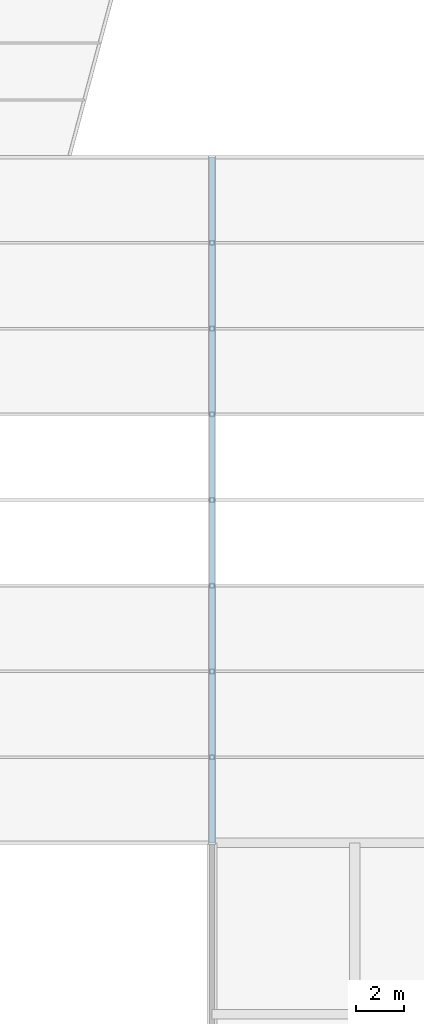
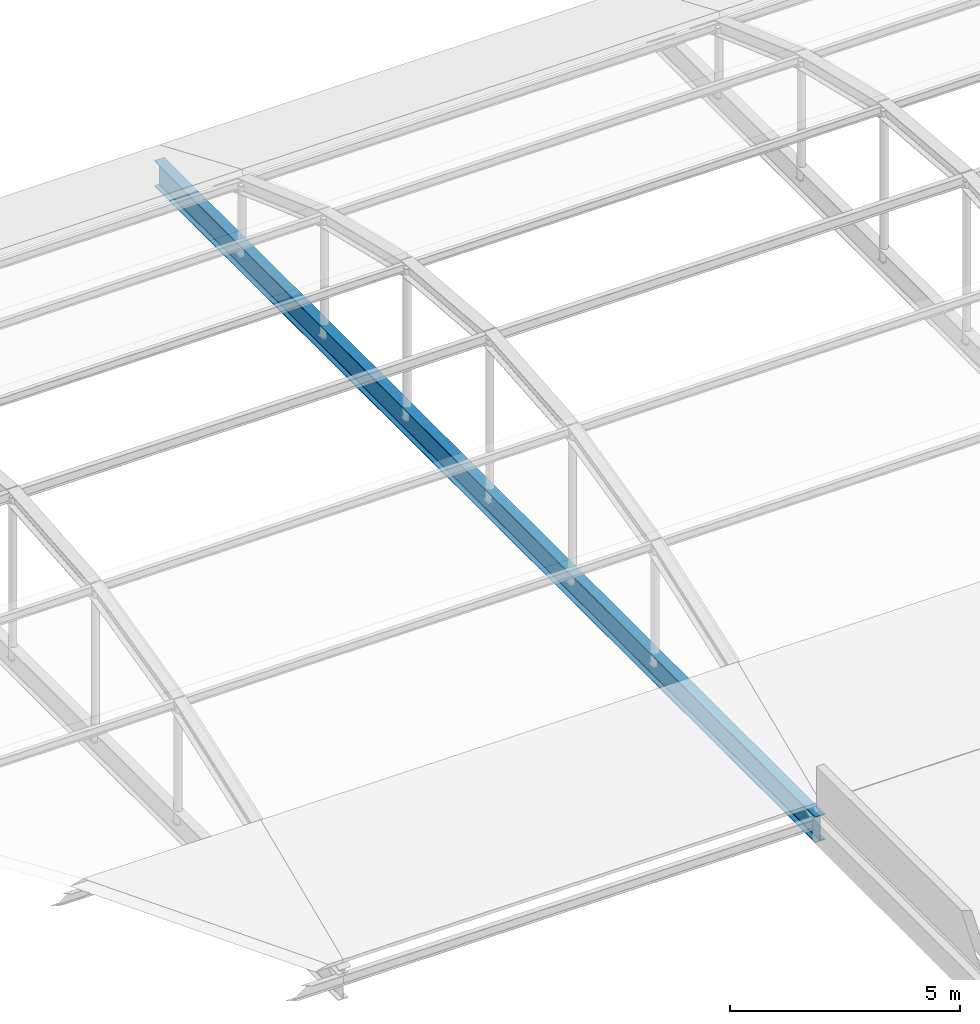
# One storey, part 178 of 239: 1 beam.
"""IFC4 building model written with IfcOpenShell, lengths in metres."""

import ifcopenshell
import ifcopenshell.guid

model = None  # the IFC model being written
_history = None  # IfcOwnerHistory: only IFC2X3 demands one
_inside = {}  # id of a spatial element -> (the spatial element, [elements in it])
_under = {}  # id of a project, library or spatial element -> (it, [spatial elements below it])
_declared = {}  # id of a project -> (the project, [libraries it declares])
_typed = {}  # id of a type object -> (the type object, [elements of that type])
_made_of = {}  # id of a material, layer set ... -> (it, [elements and type objects made of it])


def new_model(schema):
    """Start an empty IFC model of exactly this schema.

    Asked for "IFC4X3", IfcOpenShell would pick the latest addendum, in which some entities
    have other attributes; the version numbers below select the first issue.
    IFC2X3 requires an IfcOwnerHistory on every rooted entity: one is made here for all.
    """
    global model, _history
    if schema == "IFC4X3":
        model = ifcopenshell.file(schema_version=(4, 3, 0, 0))
    else:
        model = ifcopenshell.file(schema=schema)
    _inside.clear()
    _under.clear()
    _declared.clear()
    _typed.clear()
    _made_of.clear()
    _history = None
    if model.schema == "IFC2X3":
        org = make("IfcOrganization", Name="unknown")
        user = make(
            "IfcPersonAndOrganization",
            ThePerson=make("IfcPerson", FamilyName="unknown"),
            TheOrganization=org,
        )
        app = make(
            "IfcApplication",
            ApplicationDeveloper=org,
            Version="unknown",
            ApplicationFullName="unknown",
            ApplicationIdentifier="unknown",
        )
        _history = make(
            "IfcOwnerHistory",
            OwningUser=user,
            OwningApplication=app,
            ChangeAction="ADDED",
            CreationDate=0,
        )
    return model


def make(cls, **values):
    """One entity of the class cls with the attributes given. An attribute that is None is left unset."""
    return model.create_entity(
        cls, **{name: value for name, value in values.items() if value is not None}
    )


def rooted(cls, **values):
    """An entity with a GlobalId (a new one), such as an element, a storey or a relation."""
    return make(cls, GlobalId=ifcopenshell.guid.new(), OwnerHistory=_history, **values)


def si_unit(unit_type, name, prefix=None):
    """IfcSIUnit, for example si_unit("LENGTHUNIT", "METRE", prefix="MILLI")."""
    return make("IfcSIUnit", UnitType=unit_type, Prefix=prefix, Name=name)


def assignment(units):
    """IfcUnitAssignment: the units of a project."""
    return None if units is None else make("IfcUnitAssignment", Units=units)


def point(xyz):
    """IfcCartesianPoint."""
    return None if xyz is None else make("IfcCartesianPoint", Coordinates=xyz)


def direction(xyz):
    """IfcDirection."""
    return None if xyz is None else make("IfcDirection", DirectionRatios=xyz)


def frame(location, z_axis=None, x_axis=None):
    """IfcAxis2Placement3D, a coordinate frame: its origin and axes. An axis left out is left unset."""
    return make(
        "IfcAxis2Placement3D",
        Location=point(location),
        Axis=direction(z_axis),
        RefDirection=direction(x_axis),
    )


def frame_2d(location, x_axis=None):
    """IfcAxis2Placement2D, a coordinate frame in the plane: its origin and x axis."""
    return make(
        "IfcAxis2Placement2D", Location=point(location), RefDirection=direction(x_axis)
    )


def origin():
    """The frame at (0, 0, 0) with its axes left unset."""
    return frame((0.0, 0.0, 0.0))


def origin_2d():
    """The frame at (0, 0) in the plane with its x axis left unset."""
    return frame_2d((0.0, 0.0))


def place(relative_to, where):
    """IfcLocalPlacement: puts the frame where relative to a parent placement (None: the world)."""
    return make(
        "IfcLocalPlacement", PlacementRelTo=relative_to, RelativePlacement=where
    )


def context(
    kind, dimensions, precision=None, world=None, true_north=None, identifier=None
):
    """IfcGeometricRepresentationContext, for example the 3D "Model" context."""
    return make(
        "IfcGeometricRepresentationContext",
        ContextIdentifier=identifier,
        ContextType=kind,
        CoordinateSpaceDimension=dimensions,
        Precision=precision,
        WorldCoordinateSystem=world,
        TrueNorth=true_north,
    )


def subcontext(parent, identifier, kind, view, scale=None):
    """IfcGeometricRepresentationSubContext, for example "Body" below "Model"."""
    return make(
        "IfcGeometricRepresentationSubContext",
        ContextIdentifier=identifier,
        ContextType=kind,
        ParentContext=parent,
        TargetScale=scale,
        TargetView=view,
    )


def project(units=None, contexts=None):
    """IfcProject with its units and contexts."""
    return rooted(
        "IfcProject",
        Name="project",
        RepresentationContexts=contexts,
        UnitsInContext=assignment(units),
    )


def spatial(cls, under=None, at=None, **own):
    """A site, building, storey or space (cls), placed at a placement, below another one or the project."""
    s = rooted(cls, ObjectPlacement=at, **own)
    if under is not None:
        _under.setdefault(under.id(), (under, []))[1].append(s)
    return s


def profile(cls, at=None, kind="AREA", **sizes):
    """A parametric profile (cls). Its sizes go by their IFC names, for example OverallWidth=200.0."""
    return make(cls, ProfileType=kind, Position=at, **sizes)


def i_section(**sizes):
    """IfcIShapeProfileDef."""
    return profile("IfcIShapeProfileDef", **sizes)


def extrude(swept, where, along, depth):
    """IfcExtrudedAreaSolid: the profile swept, set in the frame where, extruded along a direction by depth."""
    return make(
        "IfcExtrudedAreaSolid",
        SweptArea=swept,
        Position=where,
        ExtrudedDirection=direction(along),
        Depth=depth,
    )


def shape(context_of_items, identifier, shape_type, items):
    """IfcShapeRepresentation: the items that make up one representation, for example the "Body"."""
    return make(
        "IfcShapeRepresentation",
        ContextOfItems=context_of_items,
        RepresentationIdentifier=identifier,
        RepresentationType=shape_type,
        Items=items,
    )


def material(Name=None, Category=None):
    """IfcMaterial."""
    return make("IfcMaterial", Name=Name, Category=Category)


def material_profile(
    of_material, cross_section, Name=None, Category=None, Priority=None
):
    """IfcMaterialProfile: a cross section and its material."""
    return make(
        "IfcMaterialProfile",
        Name=Name,
        Material=of_material,
        Profile=cross_section,
        Priority=Priority,
        Category=Category,
    )


def profile_set(profiles, Name=None, composite=None):
    """IfcMaterialProfileSet."""
    return make(
        "IfcMaterialProfileSet",
        Name=Name,
        MaterialProfiles=profiles,
        CompositeProfile=composite,
    )


def made_of(thing, what):
    """Note that an element or type object is made of a material, layer set ...; save() writes the relation."""
    if what is not None:
        _made_of.setdefault(what.id(), (what, []))[1].append(thing)
    return thing


def type_object(cls, material=None, **own):
    """A type object (cls), such as IfcWallType, which elements share."""
    return made_of(rooted(cls, **own), material)


def element(
    cls,
    number,
    at=None,
    inside=None,
    cuts=None,
    type_object=None,
    material=None,
    context=None,
    identifier="Body",
    shape_type=None,
    held_by="IfcProductDefinitionShape",
    body=None,
    shapes=None,
    **own,
):
    """One element of the class cls, such as IfcWall. Its Tag is "e" and its number.

    at: its placement. inside: the storey or other place that contains it. cuts: it is an
    opening in that element (IfcRelVoidsElement). A single representation is given by context,
    identifier, shape_type and body (its items); several are given by shapes. held_by: the class
    of the entity that holds the representations. save() writes the other relations.
    """
    e = rooted(cls, Tag="e%d" % number, ObjectPlacement=at, **own)
    if body is not None:
        shapes = [shape(context, identifier, shape_type, body)]
    if shapes is not None:
        e.Representation = make(held_by, Representations=shapes)
    if inside is not None:
        _inside.setdefault(inside.id(), (inside, []))[1].append(e)
    if cuts is not None:
        rooted(
            "IfcRelVoidsElement", RelatingBuildingElement=cuts, RelatedOpeningElement=e
        )
    if type_object is not None:
        _typed.setdefault(type_object.id(), (type_object, []))[1].append(e)
    return made_of(e, material)


def aggregate(whole, parts):
    """IfcRelAggregates: a whole, such as a stair, and the parts it consists of."""
    return rooted("IfcRelAggregates", RelatingObject=whole, RelatedObjects=parts)


def save(model, path):
    """Write the relations noted so far, then the file.

    IfcRelAggregates (storeys below a building ...), IfcRelContainedInSpatialStructure (elements
    in a storey), IfcRelDefinesByType, IfcRelAssociatesMaterial and IfcRelDeclares: one each for
    every whole, place, type object, material and project.
    """
    for whole, parts in _under.values():
        aggregate(whole, parts)
    for where, things in _inside.values():
        rooted(
            "IfcRelContainedInSpatialStructure",
            RelatedElements=things,
            RelatingStructure=where,
        )
    for kind, things in _typed.values():
        rooted("IfcRelDefinesByType", RelatedObjects=things, RelatingType=kind)
    for what, things in _made_of.values():
        rooted("IfcRelAssociatesMaterial", RelatedObjects=things, RelatingMaterial=what)
    for by, libraries in _declared.values():
        rooted("IfcRelDeclares", RelatingContext=by, RelatedDefinitions=libraries)
    model.write(path)


model = new_model("IFC4")

# Units and contexts
model_context = context("Model", 3, precision=1e-05, world=origin(), true_north=direction((0.0, 1.0)))
body_context = subcontext(model_context, "Body", "Model", "MODEL_VIEW")
ifc_project = project(units=[si_unit("LENGTHUNIT", "METRE"), si_unit("AREAUNIT", "SQUARE_METRE"), si_unit("VOLUMEUNIT", "CUBIC_METRE"), si_unit("PLANEANGLEUNIT", "RADIAN"), si_unit("MASSUNIT", "GRAM", prefix="KILO")], contexts=[model_context])

# Site, building, storey
site_placement = place(None, origin())
site = spatial("IfcSite", under=ifc_project, at=site_placement, CompositionType="ELEMENT")
building_placement = place(site_placement, origin())
building = spatial("IfcBuilding", under=site, at=building_placement, Name="Dunvalen Ferry Terminal", CompositionType="ELEMENT")
storey_placement = place(building_placement, frame((0.0, 0.0, 9.840087890625)))
storey = spatial("IfcBuildingStorey", under=building, at=storey_placement, Name="L02", CompositionType="ELEMENT", Elevation=9.840087890625)

# Beam
ifc_material = material(Name="Steel S355", Category="steel")
ifc_material_profile = material_profile(ifc_material, i_section(OverallWidth=0.253662109375, OverallDepth=0.68359375, WebThickness=0.012451171875, FlangeThickness=0.01904296875, FilletRadius=0.01513671875, at=origin_2d()), Name="Steel S355")
ifc_profile_set = profile_set([ifc_material_profile], Name="Steel S355")
beam_type = type_object("IfcBeamType", Name="STR-BM-UKB686", PredefinedType="BEAM", material=ifc_profile_set)
beam_placement = place(storey_placement, frame((144.0, 57.60009765625, -0.340087890625), z_axis=(0.0, 1.0, 0.0), x_axis=(-1.0, 0.0, 0.0)))
element("IfcBeam", 1, at=beam_placement, inside=storey, type_object=beam_type, Name="Arrivals Hall Barrel-Vault Tie Girder 04", PredefinedType="BEAM", context=body_context, shape_type="SweptSolid", body=[
    extrude(i_section(OverallWidth=0.253662109375, OverallDepth=0.68359375, WebThickness=0.012451171875, FlangeThickness=0.01904296875, FilletRadius=0.01513671875, at=origin_2d()), origin(), (0.0, 0.0, 1.0), 28.7998046875),
])

save(model, "model.ifc")
